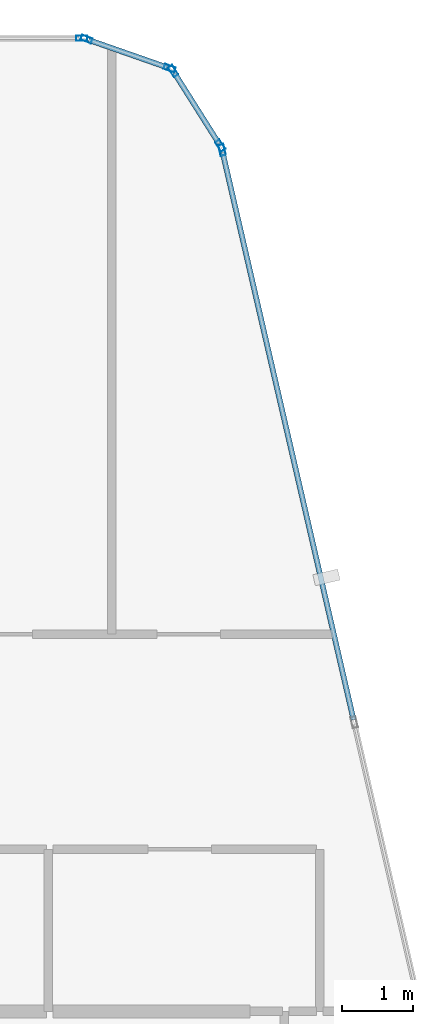
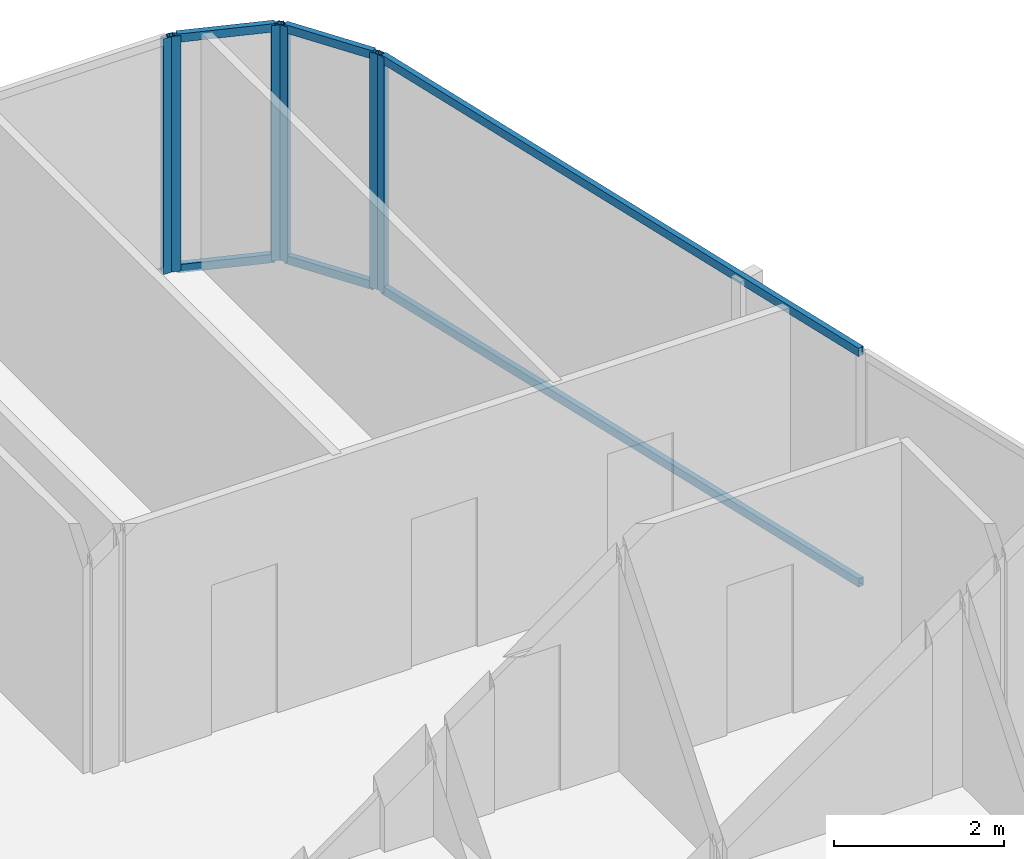
# One storey, part 21 of 29: 12 members, 4 elements without a shape of their own.
"""IFC4 building model written with IfcOpenShell, lengths in metres."""

from ifc_helpers import new_model, si_unit, direction, frame, origin, origin_2d, place, context, subcontext, project, spatial, hollow_rectangle, extrude, material, layer, layer_set, material_profile, profile_set, type_object, element, aggregate, save


model = new_model("IFC4")

# Units and contexts
model_context = context("Model", 3, precision=1e-05, world=origin(), true_north=direction((0.0, 1.0)))
body_context = subcontext(model_context, "Body", "Model", "MODEL_VIEW")
ifc_project = project(units=[si_unit("LENGTHUNIT", "METRE"), si_unit("AREAUNIT", "SQUARE_METRE"), si_unit("VOLUMEUNIT", "CUBIC_METRE"), si_unit("PLANEANGLEUNIT", "RADIAN"), si_unit("MASSUNIT", "GRAM", prefix="KILO")], contexts=[model_context])

# Site, building, storey
site_placement = place(None, origin())
site = spatial("IfcSite", under=ifc_project, at=site_placement, CompositionType="ELEMENT")
building_placement = place(site_placement, origin())
building = spatial("IfcBuilding", under=site, at=building_placement, Name="Keshet Zoharim Tower", CompositionType="ELEMENT")
storey_placement = place(building_placement, frame((0.0, 0.0, 188.39990234375)))
storey = spatial("IfcBuildingStorey", under=building, at=storey_placement, Name="L46", CompositionType="ELEMENT", Elevation=188.39990234375)

# Curtain wall, member
ifc_material = material(Name="Aluminium 6063-T6", Category="aluminium")
ifc_layer = layer(ifc_material, 0.139892578125)
ifc_layer_set = layer_set([ifc_layer], Name="Aluminium 6063-T6")
curtain_wall_type = type_object("IfcCurtainWallType", Name="CW-SYS-05", PredefinedType="NOTDEFINED", material=ifc_layer_set)
curtain_wall_1_placement = place(storey_placement, origin())
curtain_wall_1 = element("IfcCurtainWall", 1, at=curtain_wall_1_placement, inside=storey, type_object=curtain_wall_type, Name="L46 Unitised Curtain Wall 16 Part 3", PredefinedType="NOTDEFINED")
ifc_material_profile_1 = material_profile(ifc_material, hollow_rectangle(XDim=0.074951171875, YDim=0.159912109375, WallThickness=0.00390625, at=origin_2d()), Name="MUL-75x160")
ifc_profile_set_1 = profile_set([ifc_material_profile_1], Name="Aluminium 6063-T6")
member_type_1 = type_object("IfcMemberType", Name="CWM-M15", PredefinedType="MULLION", material=ifc_profile_set_1)
member_1_placement = place(storey_placement, frame((37.3740234375, 53.89990234375, 0.0), z_axis=(0.0, 0.0, 1.0), x_axis=(0.0, 1.0, 0.0)))
member_1 = element("IfcMember", 2, at=member_1_placement, type_object=member_type_1, Name="CW-05 mullion 3", PredefinedType="MULLION", context=body_context, shape_type="SweptSolid", body=[
    extrude(hollow_rectangle(XDim=0.074951171875, YDim=0.159912109375, WallThickness=0.00390625, at=origin_2d()), origin(), (0.0, 0.0, 1.0), 3.39013671875),
])
aggregate(curtain_wall_1, [member_1])

# Curtain wall, members
curtain_wall_2_placement = place(storey_placement, origin())
curtain_wall_2 = element("IfcCurtainWall", 3, at=curtain_wall_2_placement, inside=storey, type_object=curtain_wall_type, Name="L46 Unitised Curtain Wall 17", PredefinedType="NOTDEFINED")
member_2_placement = place(storey_placement, frame((37.442138671875, 53.888427734375, 0.0), z_axis=(0.0, 0.0, 1.0), x_axis=(0.329843743636, 0.944035542119, 0.0)))
member_2 = element("IfcMember", 4, at=member_2_placement, type_object=member_type_1, Name="CW-05 mullion 1", PredefinedType="MULLION", context=body_context, shape_type="SweptSolid", body=[
    extrude(hollow_rectangle(XDim=0.074951171875, YDim=0.159912109375, WallThickness=0.00390625, at=origin_2d()), origin(), (0.0, 0.0, 1.0), 3.39013671875),
])
member_3_placement = place(storey_placement, frame((38.620849609375, 53.4765625, 0.0), z_axis=(0.0, 0.0, 1.0), x_axis=(0.329843743636, 0.944035542119, 0.0)))
member_3 = element("IfcMember", 5, at=member_3_placement, type_object=member_type_1, Name="CW-05 mullion 2", PredefinedType="MULLION", context=body_context, shape_type="SweptSolid", body=[
    extrude(hollow_rectangle(XDim=0.074951171875, YDim=0.159912109375, WallThickness=0.00390625, at=origin_2d()), origin(), (0.0, 0.0, 1.0), 3.39013671875),
])

curtain_wall_3_placement = place(storey_placement, origin())
curtain_wall_3 = element("IfcCurtainWall", 6, at=curtain_wall_3_placement, inside=storey, type_object=curtain_wall_type, Name="L46 Unitised Curtain Wall 18", PredefinedType="NOTDEFINED")
member_4_placement = place(storey_placement, frame((38.672607421875, 53.435302734375, 0.0), z_axis=(0.0, 0.0, 1.0), x_axis=(0.845560976183, 0.533878858502, 0.0)))
member_4 = element("IfcMember", 7, at=member_4_placement, type_object=member_type_1, Name="CW-05 mullion 1", PredefinedType="MULLION", context=body_context, shape_type="SweptSolid", body=[
    extrude(hollow_rectangle(XDim=0.074951171875, YDim=0.159912109375, WallThickness=0.00390625, at=origin_2d()), origin(), (0.0, 0.0, 1.0), 3.39013671875),
])
member_5_placement = place(storey_placement, frame((39.33935546875, 52.379638671875, 0.0), z_axis=(0.0, 0.0, 1.0), x_axis=(0.845560976183, 0.533878858502, 0.0)))
member_5 = element("IfcMember", 8, at=member_5_placement, type_object=member_type_1, Name="CW-05 mullion 2", PredefinedType="MULLION", context=body_context, shape_type="SweptSolid", body=[
    extrude(hollow_rectangle(XDim=0.074951171875, YDim=0.159912109375, WallThickness=0.00390625, at=origin_2d()), origin(), (0.0, 0.0, 1.0), 3.39013671875),
])

# Curtain wall, member
curtain_wall_4_placement = place(storey_placement, origin())
curtain_wall_4 = element("IfcCurtainWall", 9, at=curtain_wall_4_placement, inside=storey, type_object=curtain_wall_type, Name="L46 Unitised Curtain Wall 19", PredefinedType="NOTDEFINED")
member_6_placement = place(storey_placement, frame((39.365966796875, 52.31591796875, 0.0), z_axis=(0.0, 0.0, 1.0), x_axis=(0.974393882313, 0.224847864369, 0.0)))
member_6 = element("IfcMember", 10, at=member_6_placement, type_object=member_type_1, Name="CW-05 mullion 1", PredefinedType="MULLION", context=body_context, shape_type="SweptSolid", body=[
    extrude(hollow_rectangle(XDim=0.074951171875, YDim=0.159912109375, WallThickness=0.00390625, at=origin_2d()), origin(), (0.0, 0.0, 1.0), 3.39013671875),
])

# Member
ifc_material_profile_2 = material_profile(ifc_material, hollow_rectangle(XDim=0.074951171875, YDim=0.1201171875, WallThickness=0.00390625, at=origin_2d()), Name="TRN-75x120")
ifc_profile_set_2 = profile_set([ifc_material_profile_2], Name="Aluminium 6063-T6")
member_type_2 = type_object("IfcMemberType", Name="CWT-T12", PredefinedType="USERDEFINED", material=ifc_profile_set_2)
member_7_placement = place(storey_placement, frame((37.47509765625, 53.876953125, 0.03515625), z_axis=(0.944006789648, -0.329926023675, 0.0), x_axis=(0.329926023675, 0.944006789648, 0.0)))
member_7 = element("IfcMember", 11, at=member_7_placement, type_object=member_type_2, Name="CW-05 transom 1.1", ObjectType="TRANSOM", PredefinedType="USERDEFINED", context=body_context, shape_type="SweptSolid", body=[
    extrude(hollow_rectangle(XDim=0.074951171875, YDim=0.1201171875, WallThickness=0.00390625, at=origin_2d()), origin(), (0.0, 0.0, 1.0), 1.1787109375),
])

member_8_placement = place(storey_placement, frame((37.47509765625, 53.876953125, 3.35498046875), z_axis=(0.944006789648, -0.329926023675, 0.0), x_axis=(0.329926023675, 0.944006789648, 0.0)))
member_8 = element("IfcMember", 12, at=member_8_placement, type_object=member_type_2, Name="CW-05 transom 1.2", ObjectType="TRANSOM", PredefinedType="USERDEFINED", context=body_context, shape_type="SweptSolid", body=[
    extrude(hollow_rectangle(XDim=0.074951171875, YDim=0.1201171875, WallThickness=0.00390625, at=origin_2d()), origin(), (0.0, 0.0, 1.0), 1.1787109375),
])

aggregate(curtain_wall_2, [member_2, member_3, member_7, member_8])

member_9_placement = place(storey_placement, frame((38.69140625, 53.40576171875, 0.03515625), z_axis=(0.53382931122, -0.845592257819, 0.0), x_axis=(0.845592257819, 0.53382931122, 0.0)))
member_9 = element("IfcMember", 13, at=member_9_placement, type_object=member_type_2, Name="CW-05 transom 1.1", ObjectType="TRANSOM", PredefinedType="USERDEFINED", context=body_context, shape_type="SweptSolid", body=[
    extrude(hollow_rectangle(XDim=0.074951171875, YDim=0.1201171875, WallThickness=0.00390625, at=origin_2d()), origin(), (0.0, 0.0, 1.0), 1.178466796875),
])

member_10_placement = place(storey_placement, frame((38.69140625, 53.40576171875, 3.35498046875), z_axis=(0.53382931122, -0.845592257819, 0.0), x_axis=(0.845592257819, 0.53382931122, 0.0)))
member_10 = element("IfcMember", 14, at=member_10_placement, type_object=member_type_2, Name="CW-05 transom 1.2", ObjectType="TRANSOM", PredefinedType="USERDEFINED", context=body_context, shape_type="SweptSolid", body=[
    extrude(hollow_rectangle(XDim=0.074951171875, YDim=0.1201171875, WallThickness=0.00390625, at=origin_2d()), origin(), (0.0, 0.0, 1.0), 1.178466796875),
])

aggregate(curtain_wall_3, [member_4, member_5, member_9, member_10])

member_11_placement = place(storey_placement, frame((39.373779296875, 52.28173828125, 0.03515625), z_axis=(0.224835758738, -0.974396675688, 0.0), x_axis=(0.974396675688, 0.224835758738, 0.0)))
member_11 = element("IfcMember", 15, at=member_11_placement, type_object=member_type_2, Name="CW-05 transom 1.1", ObjectType="TRANSOM", PredefinedType="USERDEFINED", context=body_context, shape_type="SweptSolid", body=[
    extrude(hollow_rectangle(XDim=0.074951171875, YDim=0.1201171875, WallThickness=0.00390625, at=origin_2d()), origin(), (0.0, 0.0, 1.0), 8.259033203125),
])

member_12_placement = place(storey_placement, frame((39.373779296875, 52.28173828125, 3.35498046875), z_axis=(0.224835758738, -0.974396675688, 0.0), x_axis=(0.974396675688, 0.224835758738, 0.0)))
member_12 = element("IfcMember", 16, at=member_12_placement, type_object=member_type_2, Name="CW-05 transom 1.2", ObjectType="TRANSOM", PredefinedType="USERDEFINED", context=body_context, shape_type="SweptSolid", body=[
    extrude(hollow_rectangle(XDim=0.074951171875, YDim=0.1201171875, WallThickness=0.00390625, at=origin_2d()), origin(), (0.0, 0.0, 1.0), 8.259033203125),
])

aggregate(curtain_wall_4, [member_6, member_11, member_12])

save(model, "model.ifc")
